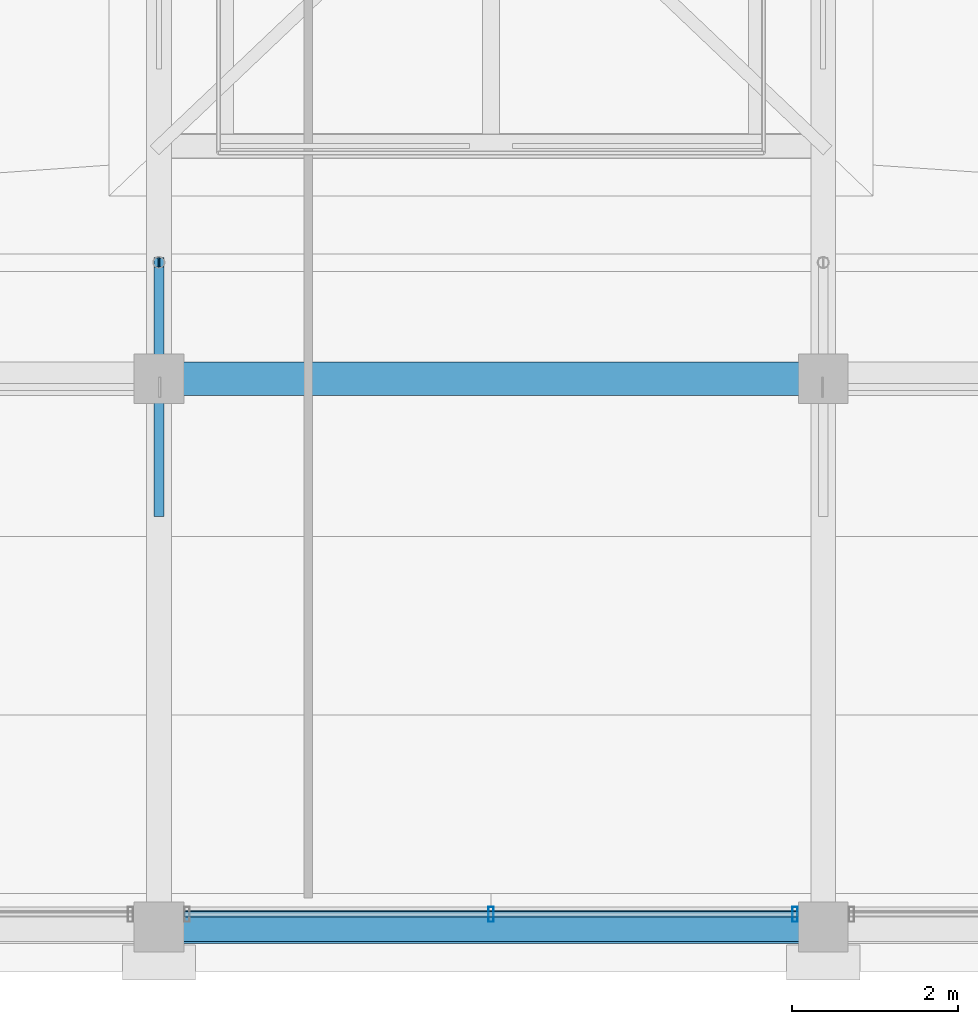
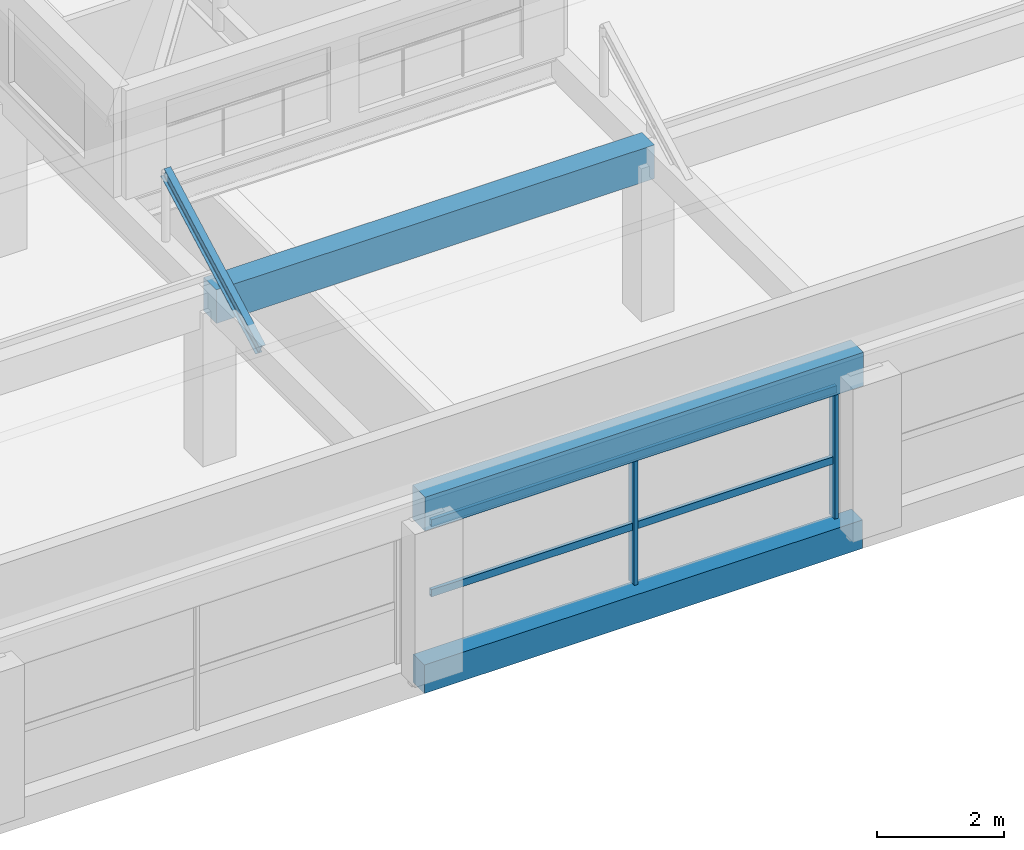
# One storey, part 7 of 39: 5 members, 3 beams, 1 element without a shape of its own.
"""IFC4 building model written with IfcOpenShell, lengths in metres."""

from ifc_helpers import new_model, si_unit, direction, frame, origin, origin_2d, place, context, subcontext, project, spatial, rectangle, hollow_rectangle, i_section, extrude, material, material_profile, profile_set, type_object, element, aggregate, save


model = new_model("IFC4")

# Units and contexts
model_context = context("Model", 3, precision=1e-05, world=origin(), true_north=direction((0.0, 1.0)))
body_context = subcontext(model_context, "Body", "Model", "MODEL_VIEW")
ifc_project = project(units=[si_unit("LENGTHUNIT", "METRE"), si_unit("AREAUNIT", "SQUARE_METRE"), si_unit("VOLUMEUNIT", "CUBIC_METRE"), si_unit("PLANEANGLEUNIT", "RADIAN"), si_unit("MASSUNIT", "GRAM", prefix="KILO")], contexts=[model_context])

# Site, building, storey
site_placement = place(None, origin())
site = spatial("IfcSite", under=ifc_project, at=site_placement, CompositionType="ELEMENT")
building_placement = place(site_placement, origin())
building = spatial("IfcBuilding", under=site, at=building_placement, Name="Akrevak Sports Hall", CompositionType="ELEMENT")
storey_placement = place(building_placement, frame((0.0, 0.0, 66.550048828125)))
storey = spatial("IfcBuildingStorey", under=building, at=storey_placement, Name="L17", CompositionType="ELEMENT", Elevation=66.550048828125)

# Curtain wall, members
ifc_material_1 = material(Name="Anodized Bronze Aluminium & Low-E Glass", Category="aluminium")
curtain_wall_type = type_object("IfcCurtainWallType", Name="ARC-CW-TWR-68x30", PredefinedType="NOTDEFINED", material=ifc_material_1)
curtain_wall_placement = place(storey_placement, origin())
curtain_wall = element("IfcCurtainWall", 1, at=curtain_wall_placement, inside=storey, type_object=curtain_wall_type, Name="Curtain Wall CW-L17-S04", PredefinedType="NOTDEFINED")
ifc_material_2 = material(Name="Anodized Bronze Aluminium", Category="aluminium")
ifc_material_profile_1 = material_profile(ifc_material_2, hollow_rectangle(XDim=0.06494140625, YDim=0.179931640625, WallThickness=0.00390625, at=origin_2d()), Name="CWM 65x180", Category="aluminium")
ifc_profile_set_1 = profile_set([ifc_material_profile_1], Name="Anodized Bronze Aluminium")
member_type_1 = type_object("IfcMemberType", Name="ARC-CWM-65x140", PredefinedType="MULLION", material=ifc_profile_set_1)
member_1_placement = place(storey_placement, frame((80.0, 35.550048828125, 0.0), z_axis=(0.0, 0.0, 1.0), x_axis=(1.0, 0.0, 0.0)))
member_1 = element("IfcMember", 2, at=member_1_placement, type_object=member_type_1, Name="Curtain Wall Mullion CW-L17-S04-M2", PredefinedType="MULLION", context=body_context, shape_type="SweptSolid", body=[
    extrude(hollow_rectangle(XDim=0.06494140625, YDim=0.179931640625, WallThickness=0.00390625, at=origin_2d()), origin(), (0.0, 0.0, 1.0), 2.530029296875),
])
member_2_placement = place(storey_placement, frame((83.659912109375, 35.550048828125, 0.0), z_axis=(0.0, 0.0, 1.0), x_axis=(1.0, 0.0, 0.0)))
member_2 = element("IfcMember", 3, at=member_2_placement, type_object=member_type_1, Name="Curtain Wall Mullion CW-L17-S04-M3", PredefinedType="MULLION", context=body_context, shape_type="SweptSolid", body=[
    extrude(hollow_rectangle(XDim=0.06494140625, YDim=0.179931640625, WallThickness=0.00390625, at=origin_2d()), origin(), (0.0, 0.0, 1.0), 2.530029296875),
])
ifc_material_profile_2 = material_profile(ifc_material_2, hollow_rectangle(XDim=0.06494140625, YDim=0.139892578125, WallThickness=0.00390625, at=origin_2d()), Name="CWT 65x140", Category="aluminium")
ifc_profile_set_2 = profile_set([ifc_material_profile_2], Name="Anodized Bronze Aluminium")
member_type_2 = type_object("IfcMemberType", Name="ARC-CWT-65x110", PredefinedType="USERDEFINED", material=ifc_profile_set_2)
member_3_placement = place(storey_placement, frame((76.300048828125, 35.550048828125, 1.099853515625), z_axis=(1.0, 0.0, 0.0), x_axis=(0.0, 1.0, 0.0)))
member_3 = element("IfcMember", 4, at=member_3_placement, type_object=member_type_2, Name="Curtain Wall Transom CW-L17-S04-T1", ObjectType="TRANSOM", PredefinedType="USERDEFINED", context=body_context, shape_type="SweptSolid", body=[
    extrude(hollow_rectangle(XDim=0.06494140625, YDim=0.139892578125, WallThickness=0.00390625, at=origin_2d()), origin(), (0.0, 0.0, 1.0), 7.39990234375),
])
member_4_placement = place(storey_placement, frame((76.300048828125, 35.550048828125, 2.449951171875), z_axis=(1.0, 0.0, 0.0), x_axis=(0.0, 1.0, 0.0)))
member_4 = element("IfcMember", 5, at=member_4_placement, type_object=member_type_2, Name="Curtain Wall Transom CW-L17-S04-T2", ObjectType="TRANSOM", PredefinedType="USERDEFINED", context=body_context, shape_type="SweptSolid", body=[
    extrude(hollow_rectangle(XDim=0.06494140625, YDim=0.139892578125, WallThickness=0.00390625, at=origin_2d()), origin(), (0.0, 0.0, 1.0), 7.39990234375),
])
aggregate(curtain_wall, [member_1, member_2, member_3, member_4])

# Beams
ifc_material_3 = material(Name="Concrete C40/50", Category="concrete")
ifc_material_profile_3 = material_profile(ifc_material_3, rectangle(XDim=0.35009765625, YDim=0.550048828125, at=origin_2d()), Name="BM 350x550", Category="concrete")
ifc_profile_set_3 = profile_set([ifc_material_profile_3], Name="Concrete C40/50")
beam_type_1 = type_object("IfcBeamType", Name="STR-BM-RC350x550", PredefinedType="BEAM", material=ifc_profile_set_3)
beam_placement = place(storey_placement, frame((76.0, 35.39990234375, -0.275146484375), z_axis=(1.0, 0.0, 0.0), x_axis=(0.0, 1.0, 0.0)))
element("IfcBeam", 6, at=beam_placement, inside=storey, type_object=beam_type_1, Name="Girder F/11-12 (L17)", PredefinedType="BEAM", context=body_context, shape_type="SweptSolid", body=[
    extrude(rectangle(XDim=0.35009765625, YDim=0.550048828125, at=origin_2d()), origin(), (0.0, 0.0, 1.0), 8.0),
])
ifc_material_profile_4 = material_profile(ifc_material_3, rectangle(XDim=0.39990234375, YDim=0.64990234375, at=origin_2d()), Name="BM 400x650", Category="concrete")
ifc_profile_set_4 = profile_set([ifc_material_profile_4], Name="Concrete C40/50")
beam_type_2 = type_object("IfcBeamType", Name="STR-BM-RC400x650", PredefinedType="BEAM", material=ifc_profile_set_4)
for number, where, z_axis, x_axis, name in (
    (7, (76.0, 35.39990234375, 2.925048828125), (1.0, 0.0, 0.0), (0.0, 1.0, 0.0), "Girder F/11-12 (ROOF)"),
    (8, (76.0, 42.0, 2.925048828125), (1.0, 0.0, 0.0), (0.0, 1.0, 0.0), "Girder G/11-12 (ROOF)"),
):
    element("IfcBeam", number, at=place(storey_placement, frame(where, z_axis=z_axis, x_axis=x_axis)), inside=storey, type_object=beam_type_2, Name=name, PredefinedType="BEAM", context=body_context, shape_type="SweptSolid", body=[
        extrude(rectangle(XDim=0.39990234375, YDim=0.64990234375, at=origin_2d()), origin(), (0.0, 0.0, 1.0), 8.0),
    ])

# Member
ifc_material_4 = material(Name="Steel S355", Category="steel")
ifc_material_profile_5 = material_profile(ifc_material_4, i_section(OverallWidth=0.1201171875, OverallDepth=0.239990234375, WebThickness=0.006103515625, FlangeThickness=0.009765625, FilletRadius=0.014892578125, at=origin_2d()), Name="IPE 240", Category="steel")
ifc_profile_set_5 = profile_set([ifc_material_profile_5], Name="Steel S355")
member_type_3 = type_object("IfcMemberType", Name="STR-MEM-RAF-IPE240", PredefinedType="RAFTER", material=ifc_profile_set_5)
member_5_placement = place(storey_placement, frame((76.0, 40.39990234375, 2.949951171875), z_axis=(0.0, 0.879891027325, 0.475175525499), x_axis=(-1.0, 0.0, 0.0)))
element("IfcMember", 9, at=member_5_placement, inside=storey, type_object=member_type_3, Name="Mansard Steel Rafter MANS-W-S-76", PredefinedType="RAFTER", context=body_context, shape_type="SweptSolid", body=[
    extrude(i_section(OverallWidth=0.1201171875, OverallDepth=0.239990234375, WebThickness=0.006103515625, FlangeThickness=0.009765625, FilletRadius=0.014892578125, at=origin_2d()), origin(), (0.0, 0.0, 1.0), 3.409423828125),
])

save(model, "model.ifc")
